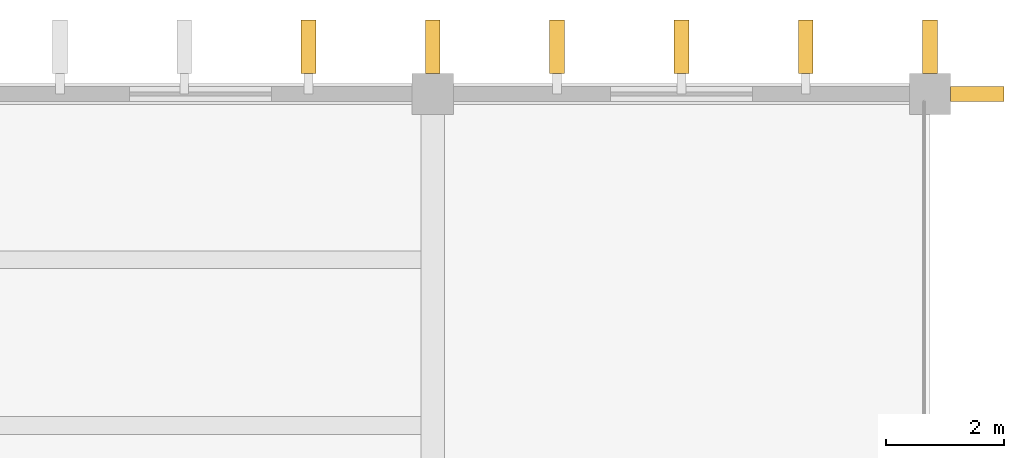
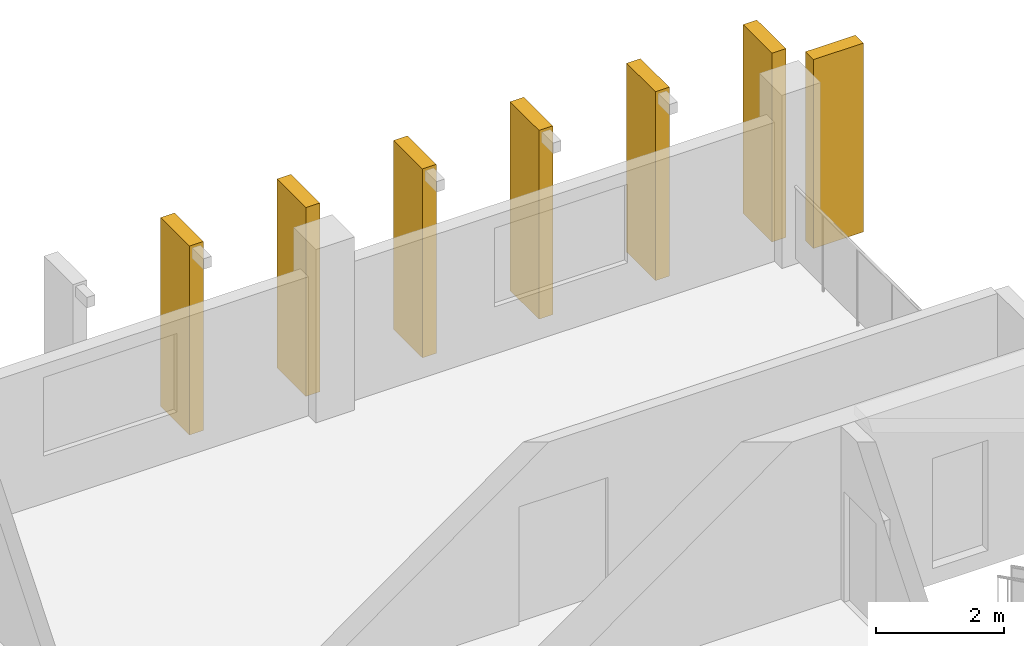
# One storey, part 12 of 13: 7 shading devices.
"""IFC4 building model written with IfcOpenShell, lengths in metres."""

from ifc_helpers import new_model, si_unit, direction, frame, origin, origin_2d, place, context, subcontext, project, spatial, rectangle, extrude, material, material_profile, profile_set, type_object, element, save


model = new_model("IFC4")

# Units and contexts
model_context = context("Model", 3, precision=1e-05, world=origin(), true_north=direction((0.0, 1.0)))
body_context = subcontext(model_context, "Body", "Model", "MODEL_VIEW")
ifc_project = project(units=[si_unit("LENGTHUNIT", "METRE"), si_unit("AREAUNIT", "SQUARE_METRE"), si_unit("VOLUMEUNIT", "CUBIC_METRE"), si_unit("PLANEANGLEUNIT", "RADIAN"), si_unit("MASSUNIT", "GRAM", prefix="KILO")], contexts=[model_context])

# Site, building, storey
site_placement = place(None, origin())
site = spatial("IfcSite", under=ifc_project, at=site_placement, CompositionType="ELEMENT")
building_placement = place(site_placement, origin())
building = spatial("IfcBuilding", under=site, at=building_placement, Name="Rulbaag Community and Learning Centre", CompositionType="ELEMENT")
storey_placement = place(building_placement, frame((0.0, 0.0, 54.0)))
storey = spatial("IfcBuildingStorey", under=building, at=storey_placement, Name="L14", CompositionType="ELEMENT", Elevation=54.0)

# Shading devices
ifc_material = material(Name="Concrete M40", Category="concrete")
ifc_material_profile = material_profile(ifc_material, rectangle(XDim=0.25, YDim=0.89990234375, at=origin_2d()), Name="PC 250x900")
ifc_profile_set = profile_set([ifc_material_profile], Name="Concrete M40")
shading_device_type = type_object("IfcShadingDeviceType", Name="FIN-H", PredefinedType="JALOUSIE", material=ifc_profile_set)
for number, where, z_axis, x_axis, name in (
    (1, (157.5, 118.39990234375, 0.0), (0.0, 0.0, 1.0), (1.0, 0.0, 0.0), "Precast fin"),
    (2, (159.60009765625, 118.39990234375, 0.0), (0.0, 0.0, 1.0), (1.0, 0.0, 0.0), "Precast fin"),
    (3, (161.699951171875, 118.39990234375, 0.0), (0.0, 0.0, 1.0), (1.0, 0.0, 0.0), "Precast fin"),
    (4, (163.800048828125, 118.39990234375, 0.0), (0.0, 0.0, 1.0), (1.0, 0.0, 0.0), "Precast fin"),
    (5, (165.89990234375, 118.39990234375, 0.0), (0.0, 0.0, 1.0), (1.0, 0.0, 0.0), "Precast fin"),
    (6, (168.0, 118.39990234375, 0.0), (0.0, 0.0, 1.0), (1.0, 0.0, 0.0), "Precast fin"),
    (7, (168.800048828125, 117.60009765625, 0.0), (0.0, 0.0, 1.0), (0.0, 1.0, 0.0), "Precast fin"),
):
    element("IfcShadingDevice", number, at=place(storey_placement, frame(where, z_axis=z_axis, x_axis=x_axis)), inside=storey, type_object=shading_device_type, Name=name, PredefinedType="JALOUSIE", context=body_context, shape_type="SweptSolid", body=[
        extrude(rectangle(XDim=0.25, YDim=0.89990234375, at=origin_2d()), origin(), (0.0, 0.0, 1.0), 3.60009765625),
    ])

save(model, "model.ifc")
